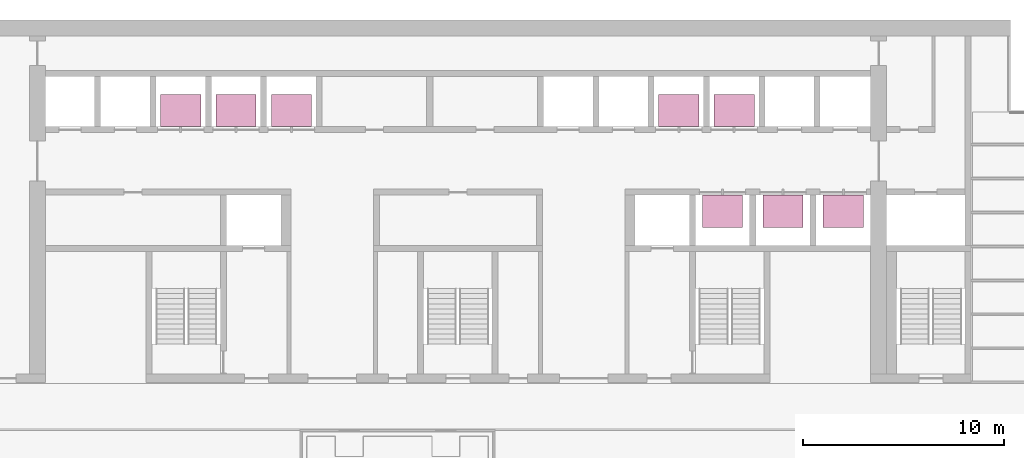
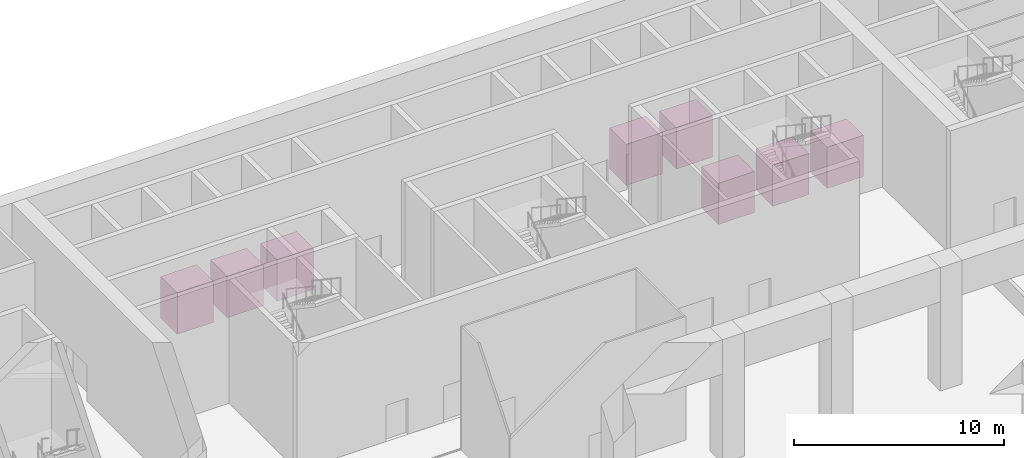
# One storey, part 10 of 10: 8 transport elements.
"""IFC4 building model written with IfcOpenShell, lengths in metres."""

from ifc_helpers import new_model, si_unit, direction, frame, origin, origin_2d, place, context, subcontext, project, spatial, rectangle, extrude, material, type_object, element, save


model = new_model("IFC4")

# Units and contexts
model_context = context("Model", 3, precision=1e-05, world=origin(), true_north=direction((0.0, 1.0)))
body_context = subcontext(model_context, "Body", "Model", "MODEL_VIEW")
ifc_project = project(units=[si_unit("LENGTHUNIT", "METRE"), si_unit("AREAUNIT", "SQUARE_METRE"), si_unit("VOLUMEUNIT", "CUBIC_METRE"), si_unit("PLANEANGLEUNIT", "RADIAN"), si_unit("MASSUNIT", "GRAM", prefix="KILO")], contexts=[model_context])

# Site, building, storey
site_placement = place(None, origin())
site = spatial("IfcSite", under=ifc_project, at=site_placement, CompositionType="ELEMENT")
building_placement = place(site_placement, origin())
building = spatial("IfcBuilding", under=site, at=building_placement, Name="Calvaro Tower", CompositionType="ELEMENT")
storey_placement = place(building_placement, frame((0.0, 0.0, 158.75)))
storey = spatial("IfcBuildingStorey", under=building, at=storey_placement, Name="L40", CompositionType="ELEMENT", Elevation=158.75)

# Transport elements
ifc_material = material(Name="Stainless steel", Category="steel")
transport_element_type = type_object("IfcTransportElementType", Name="Passenger lift HR 2000 by 1600", PredefinedType="ELEVATOR", material=ifc_material)
for number, where, z_axis, x_axis, name in (
    (1, (52.14990234375, 36.5, 0.0), (0.0, 0.0, 1.0), (1.0, 0.0, 0.0), "HR1"),
    (2, (55.14990234375, 36.5, 0.0), (0.0, 0.0, 1.0), (1.0, 0.0, 0.0), "HR2"),
    (3, (58.14990234375, 36.5, 0.0), (0.0, 0.0, 1.0), (1.0, 0.0, 0.0), "HR3"),
    (4, (25.22509765625, 41.5, 0.0), (0.0, 0.0, 1.0), (1.0, 0.0, 0.0), "HR4"),
    (5, (27.97509765625, 41.5, 0.0), (0.0, 0.0, 1.0), (1.0, 0.0, 0.0), "HR5"),
    (6, (30.72509765625, 41.5, 0.0), (0.0, 0.0, 1.0), (1.0, 0.0, 0.0), "HR6"),
    (7, (49.97509765625, 41.5, 0.0), (0.0, 0.0, 1.0), (1.0, 0.0, 0.0), "HR7"),
    (8, (52.72509765625, 41.5, 0.0), (0.0, 0.0, 1.0), (1.0, 0.0, 0.0), "HR8"),
):
    element("IfcTransportElement", number, at=place(storey_placement, frame(where, z_axis=z_axis, x_axis=x_axis)), inside=storey, type_object=transport_element_type, Name=name, PredefinedType="ELEVATOR", context=body_context, shape_type="SweptSolid", body=[
        extrude(rectangle(XDim=2.0, YDim=1.60009765625, at=origin_2d()), origin(), (0.0, 0.0, 1.0), 2.39990234375),
    ])

save(model, "model.ifc")
